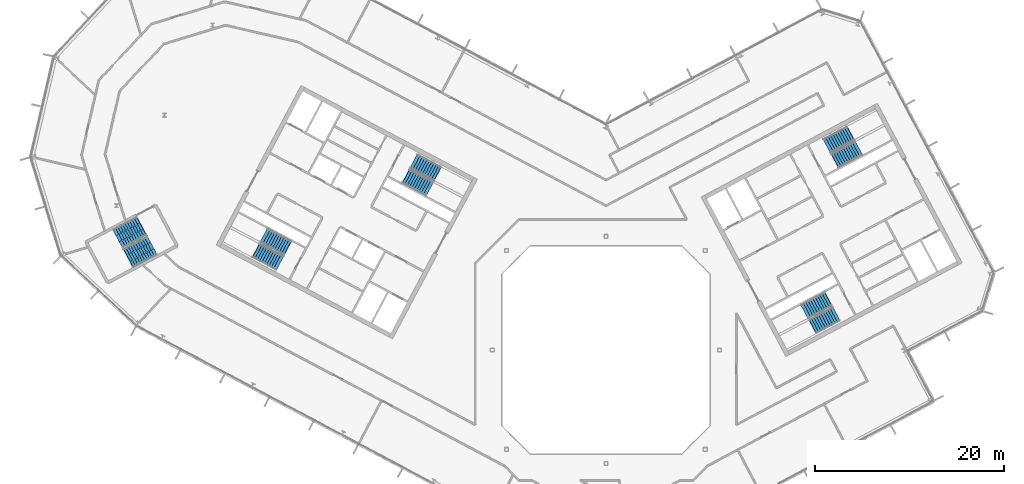
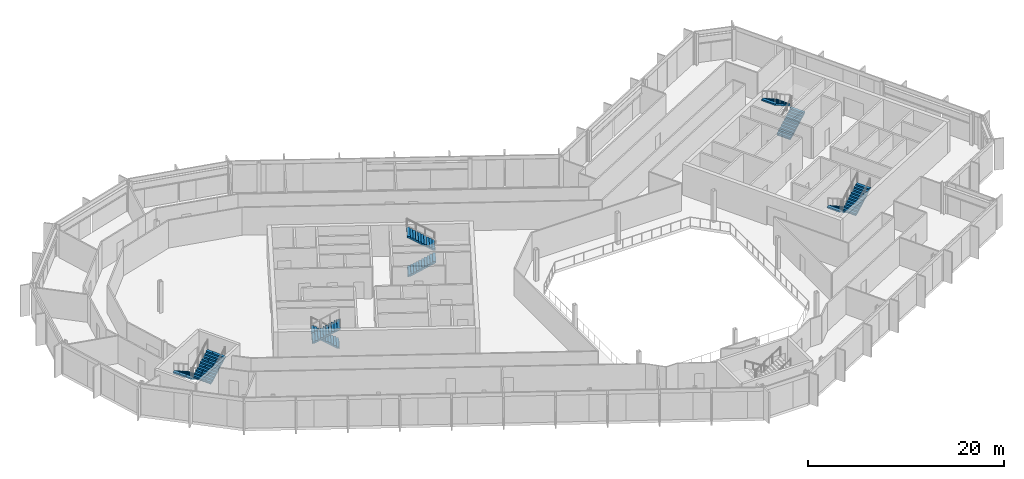
# One storey, part 18 of 26: 10 stair flights, 5 elements without a shape of their own.
"""IFC4 building model written with IfcOpenShell, lengths in metres."""

import ifcopenshell
import ifcopenshell.guid

model = None  # the IFC model being written
_history = None  # IfcOwnerHistory: only IFC2X3 demands one
_inside = {}  # id of a spatial element -> (the spatial element, [elements in it])
_under = {}  # id of a project, library or spatial element -> (it, [spatial elements below it])
_declared = {}  # id of a project -> (the project, [libraries it declares])
_typed = {}  # id of a type object -> (the type object, [elements of that type])
_made_of = {}  # id of a material, layer set ... -> (it, [elements and type objects made of it])


def new_model(schema):
    """Start an empty IFC model of exactly this schema.

    Asked for "IFC4X3", IfcOpenShell would pick the latest addendum, in which some entities
    have other attributes; the version numbers below select the first issue.
    IFC2X3 requires an IfcOwnerHistory on every rooted entity: one is made here for all.
    """
    global model, _history
    if schema == "IFC4X3":
        model = ifcopenshell.file(schema_version=(4, 3, 0, 0))
    else:
        model = ifcopenshell.file(schema=schema)
    _inside.clear()
    _under.clear()
    _declared.clear()
    _typed.clear()
    _made_of.clear()
    _history = None
    if model.schema == "IFC2X3":
        org = make("IfcOrganization", Name="unknown")
        user = make(
            "IfcPersonAndOrganization",
            ThePerson=make("IfcPerson", FamilyName="unknown"),
            TheOrganization=org,
        )
        app = make(
            "IfcApplication",
            ApplicationDeveloper=org,
            Version="unknown",
            ApplicationFullName="unknown",
            ApplicationIdentifier="unknown",
        )
        _history = make(
            "IfcOwnerHistory",
            OwningUser=user,
            OwningApplication=app,
            ChangeAction="ADDED",
            CreationDate=0,
        )
    return model


def make(cls, **values):
    """One entity of the class cls with the attributes given. An attribute that is None is left unset."""
    return model.create_entity(
        cls, **{name: value for name, value in values.items() if value is not None}
    )


def rooted(cls, **values):
    """An entity with a GlobalId (a new one), such as an element, a storey or a relation."""
    return make(cls, GlobalId=ifcopenshell.guid.new(), OwnerHistory=_history, **values)


def si_unit(unit_type, name, prefix=None):
    """IfcSIUnit, for example si_unit("LENGTHUNIT", "METRE", prefix="MILLI")."""
    return make("IfcSIUnit", UnitType=unit_type, Prefix=prefix, Name=name)


def assignment(units):
    """IfcUnitAssignment: the units of a project."""
    return None if units is None else make("IfcUnitAssignment", Units=units)


def point(xyz):
    """IfcCartesianPoint."""
    return None if xyz is None else make("IfcCartesianPoint", Coordinates=xyz)


def direction(xyz):
    """IfcDirection."""
    return None if xyz is None else make("IfcDirection", DirectionRatios=xyz)


def frame(location, z_axis=None, x_axis=None):
    """IfcAxis2Placement3D, a coordinate frame: its origin and axes. An axis left out is left unset."""
    return make(
        "IfcAxis2Placement3D",
        Location=point(location),
        Axis=direction(z_axis),
        RefDirection=direction(x_axis),
    )


def origin():
    """The frame at (0, 0, 0) with its axes left unset."""
    return frame((0.0, 0.0, 0.0))


def place(relative_to, where):
    """IfcLocalPlacement: puts the frame where relative to a parent placement (None: the world)."""
    return make(
        "IfcLocalPlacement", PlacementRelTo=relative_to, RelativePlacement=where
    )


def context(
    kind, dimensions, precision=None, world=None, true_north=None, identifier=None
):
    """IfcGeometricRepresentationContext, for example the 3D "Model" context."""
    return make(
        "IfcGeometricRepresentationContext",
        ContextIdentifier=identifier,
        ContextType=kind,
        CoordinateSpaceDimension=dimensions,
        Precision=precision,
        WorldCoordinateSystem=world,
        TrueNorth=true_north,
    )


def subcontext(parent, identifier, kind, view, scale=None):
    """IfcGeometricRepresentationSubContext, for example "Body" below "Model"."""
    return make(
        "IfcGeometricRepresentationSubContext",
        ContextIdentifier=identifier,
        ContextType=kind,
        ParentContext=parent,
        TargetScale=scale,
        TargetView=view,
    )


def project(units=None, contexts=None):
    """IfcProject with its units and contexts."""
    return rooted(
        "IfcProject",
        Name="project",
        RepresentationContexts=contexts,
        UnitsInContext=assignment(units),
    )


def spatial(cls, under=None, at=None, **own):
    """A site, building, storey or space (cls), placed at a placement, below another one or the project."""
    s = rooted(cls, ObjectPlacement=at, **own)
    if under is not None:
        _under.setdefault(under.id(), (under, []))[1].append(s)
    return s


def polyline(points):
    """IfcPolyline through the points."""
    return make("IfcPolyline", Points=[point(p) for p in points])


def outline(outer, holes=None, kind="AREA"):
    """IfcArbitraryClosedProfileDef: a profile drawn as a closed curve; with holes, ...WithVoids."""
    if holes is None:
        return make("IfcArbitraryClosedProfileDef", ProfileType=kind, OuterCurve=outer)
    return make(
        "IfcArbitraryProfileDefWithVoids",
        ProfileType=kind,
        OuterCurve=outer,
        InnerCurves=holes,
    )


def extrude(swept, where, along, depth):
    """IfcExtrudedAreaSolid: the profile swept, set in the frame where, extruded along a direction by depth."""
    return make(
        "IfcExtrudedAreaSolid",
        SweptArea=swept,
        Position=where,
        ExtrudedDirection=direction(along),
        Depth=depth,
    )


def shape(context_of_items, identifier, shape_type, items):
    """IfcShapeRepresentation: the items that make up one representation, for example the "Body"."""
    return make(
        "IfcShapeRepresentation",
        ContextOfItems=context_of_items,
        RepresentationIdentifier=identifier,
        RepresentationType=shape_type,
        Items=items,
    )


def material(Name=None, Category=None):
    """IfcMaterial."""
    return make("IfcMaterial", Name=Name, Category=Category)


def made_of(thing, what):
    """Note that an element or type object is made of a material, layer set ...; save() writes the relation."""
    if what is not None:
        _made_of.setdefault(what.id(), (what, []))[1].append(thing)
    return thing


def type_object(cls, material=None, **own):
    """A type object (cls), such as IfcWallType, which elements share."""
    return made_of(rooted(cls, **own), material)


def element(
    cls,
    number,
    at=None,
    inside=None,
    cuts=None,
    type_object=None,
    material=None,
    context=None,
    identifier="Body",
    shape_type=None,
    held_by="IfcProductDefinitionShape",
    body=None,
    shapes=None,
    **own,
):
    """One element of the class cls, such as IfcWall. Its Tag is "e" and its number.

    at: its placement. inside: the storey or other place that contains it. cuts: it is an
    opening in that element (IfcRelVoidsElement). A single representation is given by context,
    identifier, shape_type and body (its items); several are given by shapes. held_by: the class
    of the entity that holds the representations. save() writes the other relations.
    """
    e = rooted(cls, Tag="e%d" % number, ObjectPlacement=at, **own)
    if body is not None:
        shapes = [shape(context, identifier, shape_type, body)]
    if shapes is not None:
        e.Representation = make(held_by, Representations=shapes)
    if inside is not None:
        _inside.setdefault(inside.id(), (inside, []))[1].append(e)
    if cuts is not None:
        rooted(
            "IfcRelVoidsElement", RelatingBuildingElement=cuts, RelatedOpeningElement=e
        )
    if type_object is not None:
        _typed.setdefault(type_object.id(), (type_object, []))[1].append(e)
    return made_of(e, material)


def aggregate(whole, parts):
    """IfcRelAggregates: a whole, such as a stair, and the parts it consists of."""
    return rooted("IfcRelAggregates", RelatingObject=whole, RelatedObjects=parts)


def save(model, path):
    """Write the relations noted so far, then the file.

    IfcRelAggregates (storeys below a building ...), IfcRelContainedInSpatialStructure (elements
    in a storey), IfcRelDefinesByType, IfcRelAssociatesMaterial and IfcRelDeclares: one each for
    every whole, place, type object, material and project.
    """
    for whole, parts in _under.values():
        aggregate(whole, parts)
    for where, things in _inside.values():
        rooted(
            "IfcRelContainedInSpatialStructure",
            RelatedElements=things,
            RelatingStructure=where,
        )
    for kind, things in _typed.values():
        rooted("IfcRelDefinesByType", RelatedObjects=things, RelatingType=kind)
    for what, things in _made_of.values():
        rooted("IfcRelAssociatesMaterial", RelatedObjects=things, RelatingMaterial=what)
    for by, libraries in _declared.values():
        rooted("IfcRelDeclares", RelatingContext=by, RelatedDefinitions=libraries)
    model.write(path)


model = new_model("IFC4")

# Units and contexts
model_context = context("Model", 3, precision=1e-05, world=origin(), true_north=direction((0.0, 1.0)))
body_context = subcontext(model_context, "Body", "Model", "MODEL_VIEW")
ifc_project = project(units=[si_unit("LENGTHUNIT", "METRE"), si_unit("AREAUNIT", "SQUARE_METRE"), si_unit("VOLUMEUNIT", "CUBIC_METRE"), si_unit("PLANEANGLEUNIT", "RADIAN"), si_unit("MASSUNIT", "GRAM", prefix="KILO")], contexts=[model_context])

# Site, building, storey
site_placement = place(None, origin())
site = spatial("IfcSite", under=ifc_project, at=site_placement, CompositionType="ELEMENT")
building_placement = place(site_placement, origin())
building = spatial("IfcBuilding", under=site, at=building_placement, Name="Cormorant Relay Tower", CompositionType="ELEMENT")
storey_placement = place(building_placement, frame((0.0, 0.0, 316.5)))
storey = spatial("IfcBuildingStorey", under=building, at=storey_placement, Name="L72", CompositionType="ELEMENT", Elevation=316.5)

# Stair, stair flights
ifc_material_1 = material(Name="Concrete 40 MPa", Category="concrete")
stair_type_1 = type_object("IfcStairType", Name="Exit stair 1500", PredefinedType="HALF_TURN_STAIR", material=ifc_material_1)
stair_1_placement = place(storey_placement, origin())
stair_1 = element("IfcStair", 1, at=stair_1_placement, inside=storey, type_object=stair_type_1, Name="L72 Stair", PredefinedType="HALF_TURN_STAIR")
ifc_material_2 = material(Name="Concrete 40 MPa", Category="concrete")
stair_flight_type_1 = type_object("IfcStairFlightType", Name="Exit stair flight 1650", PredefinedType="STRAIGHT", material=ifc_material_2)
stair_flight_1_placement = place(storey_placement, frame((-21.114501953125, 18.33349609375, 0.0), z_axis=(0.0, 0.0, 1.0), x_axis=(0.882947592859, -0.469471562786, 0.0)))
stair_flight_1 = element("IfcStairFlight", 2, at=stair_flight_1_placement, type_object=stair_flight_type_1, Name="A1 flight 1", NumberOfRisers=11, NumberOfTreads=10, PredefinedType="STRAIGHT", RiserHeight=0.177272727, TreadLength=0.28, context=body_context, shape_type="SweptSolid", body=[
    extrude(outline(polyline([(-0.050048828125, -0.080078125), (-0.050048828125, 0.0), (0.0, 0.0), (0.0, 0.17724609375), (0.280029296875, 0.17724609375), (0.280029296875, 0.3544921875), (0.56005859375, 0.3544921875), (0.56005859375, 0.53173828125), (0.840087890625, 0.53173828125), (0.840087890625, 0.708984375), (1.1201171875, 0.708984375), (1.1201171875, 0.886474609375), (1.39990234375, 0.886474609375), (1.39990234375, 1.063720703125), (1.679931640625, 1.063720703125), (1.679931640625, 1.240966796875), (1.9599609375, 1.240966796875), (1.9599609375, 1.418212890625), (2.239990234375, 1.418212890625), (2.239990234375, 1.595458984375), (2.52001953125, 1.595458984375), (2.52001953125, 1.772705078125), (2.800048828125, 1.772705078125), (2.85009765625, 1.772705078125), (2.85009765625, 1.59521484375), (2.800048828125, 1.59521484375), (0.2802734375, 0.0), (-0.050048828125, -0.080078125)])), frame((0.0, 0.824951171875, 0.0), z_axis=(0.0, -1.0, 0.0), x_axis=(1.0, 0.0, 0.0)), (0.0, 0.0, 1.0), 1.64990234375),
])
stair_flight_2_placement = place(storey_placement, frame((-17.797119140625, 18.6083984375, 1.949951171875), z_axis=(0.0, 0.0, 1.0), x_axis=(-0.882947592859, 0.469471562786, 0.0)))
stair_flight_2 = element("IfcStairFlight", 3, at=stair_flight_2_placement, type_object=stair_flight_type_1, Name="A1 flight 2", NumberOfRisers=11, NumberOfTreads=10, PredefinedType="STRAIGHT", RiserHeight=0.177272727, TreadLength=0.28, context=body_context, shape_type="SweptSolid", body=[
    extrude(outline(polyline([(-0.050048828125, -0.080078125), (-0.050048828125, 0.0), (0.0, 0.0), (0.0, 0.17724609375), (0.280029296875, 0.17724609375), (0.280029296875, 0.3544921875), (0.56005859375, 0.3544921875), (0.56005859375, 0.53173828125), (0.840087890625, 0.53173828125), (0.840087890625, 0.708984375), (1.1201171875, 0.708984375), (1.1201171875, 0.886474609375), (1.39990234375, 0.886474609375), (1.39990234375, 1.063720703125), (1.679931640625, 1.063720703125), (1.679931640625, 1.240966796875), (1.9599609375, 1.240966796875), (1.9599609375, 1.418212890625), (2.239990234375, 1.418212890625), (2.239990234375, 1.595458984375), (2.52001953125, 1.595458984375), (2.52001953125, 1.772705078125), (2.800048828125, 1.772705078125), (2.85009765625, 1.772705078125), (2.85009765625, 1.59521484375), (2.800048828125, 1.59521484375), (0.2802734375, 0.0), (-0.050048828125, -0.080078125)])), frame((0.0, 0.824951171875, 0.0), z_axis=(0.0, -1.0, 0.0), x_axis=(1.0, 0.0, 0.0)), (0.0, 0.0, 1.0), 1.64990234375),
])
aggregate(stair_1, [stair_flight_1, stair_flight_2])

stair_2_placement = place(storey_placement, origin())
stair_2 = element("IfcStair", 4, at=stair_2_placement, inside=storey, type_object=stair_type_1, Name="L72 Stair", PredefinedType="HALF_TURN_STAIR")
stair_flight_3_placement = place(storey_placement, frame((-33.62841796875, 10.773681640625, 0.0), z_axis=(0.0, 0.0, 1.0), x_axis=(-0.882947592859, 0.469471562786, 0.0)))
stair_flight_3 = element("IfcStairFlight", 5, at=stair_flight_3_placement, type_object=stair_flight_type_1, Name="A2 flight 1", NumberOfRisers=11, NumberOfTreads=10, PredefinedType="STRAIGHT", RiserHeight=0.177272727, TreadLength=0.28, context=body_context, shape_type="SweptSolid", body=[
    extrude(outline(polyline([(-0.050048828125, -0.080078125), (-0.050048828125, 0.0), (0.0, 0.0), (0.0, 0.17724609375), (0.280029296875, 0.17724609375), (0.280029296875, 0.3544921875), (0.56005859375, 0.3544921875), (0.56005859375, 0.53173828125), (0.840087890625, 0.53173828125), (0.840087890625, 0.708984375), (1.1201171875, 0.708984375), (1.1201171875, 0.886474609375), (1.39990234375, 0.886474609375), (1.39990234375, 1.063720703125), (1.679931640625, 1.063720703125), (1.679931640625, 1.240966796875), (1.9599609375, 1.240966796875), (1.9599609375, 1.418212890625), (2.239990234375, 1.418212890625), (2.239990234375, 1.595458984375), (2.52001953125, 1.595458984375), (2.52001953125, 1.772705078125), (2.800048828125, 1.772705078125), (2.85009765625, 1.772705078125), (2.85009765625, 1.59521484375), (2.800048828125, 1.59521484375), (0.2802734375, 0.0), (-0.050048828125, -0.080078125)])), frame((0.0, 0.824951171875, 0.0), z_axis=(0.0, -1.0, 0.0), x_axis=(1.0, 0.0, 0.0)), (0.0, 0.0, 1.0), 1.64990234375),
])
stair_flight_4_placement = place(storey_placement, frame((-36.945556640625, 10.498779296875, 1.949951171875), z_axis=(0.0, 0.0, 1.0), x_axis=(0.882947592859, -0.469471562786, 0.0)))
stair_flight_4 = element("IfcStairFlight", 6, at=stair_flight_4_placement, type_object=stair_flight_type_1, Name="A2 flight 2", NumberOfRisers=11, NumberOfTreads=10, PredefinedType="STRAIGHT", RiserHeight=0.177272727, TreadLength=0.28, context=body_context, shape_type="SweptSolid", body=[
    extrude(outline(polyline([(-0.050048828125, -0.080078125), (-0.050048828125, 0.0), (0.0, 0.0), (0.0, 0.17724609375), (0.280029296875, 0.17724609375), (0.280029296875, 0.3544921875), (0.56005859375, 0.3544921875), (0.56005859375, 0.53173828125), (0.840087890625, 0.53173828125), (0.840087890625, 0.708984375), (1.1201171875, 0.708984375), (1.1201171875, 0.886474609375), (1.39990234375, 0.886474609375), (1.39990234375, 1.063720703125), (1.679931640625, 1.063720703125), (1.679931640625, 1.240966796875), (1.9599609375, 1.240966796875), (1.9599609375, 1.418212890625), (2.239990234375, 1.418212890625), (2.239990234375, 1.595458984375), (2.52001953125, 1.595458984375), (2.52001953125, 1.772705078125), (2.800048828125, 1.772705078125), (2.85009765625, 1.772705078125), (2.85009765625, 1.59521484375), (2.800048828125, 1.59521484375), (0.2802734375, 0.0), (-0.050048828125, -0.080078125)])), frame((0.0, 0.824951171875, 0.0), z_axis=(0.0, -1.0, 0.0), x_axis=(1.0, 0.0, 0.0)), (0.0, 0.0, 1.0), 1.64990234375),
])
aggregate(stair_2, [stair_flight_3, stair_flight_4])

stair_3_placement = place(storey_placement, origin())
stair_3 = element("IfcStair", 7, at=stair_3_placement, inside=storey, type_object=stair_type_1, Name="L72 Stair", PredefinedType="HALF_TURN_STAIR")
stair_flight_5_placement = place(storey_placement, frame((23.474365234375, 5.374755859375, 0.0), z_axis=(0.0, 0.0, 1.0), x_axis=(-0.882947592859, -0.469471562786, 0.0)))
stair_flight_5 = element("IfcStairFlight", 8, at=stair_flight_5_placement, type_object=stair_flight_type_1, Name="B1 flight 1", NumberOfRisers=11, NumberOfTreads=10, PredefinedType="STRAIGHT", RiserHeight=0.177272727, TreadLength=0.28, context=body_context, shape_type="SweptSolid", body=[
    extrude(outline(polyline([(-0.050048828125, -0.080078125), (-0.050048828125, 0.0), (0.0, 0.0), (0.0, 0.17724609375), (0.280029296875, 0.17724609375), (0.280029296875, 0.3544921875), (0.56005859375, 0.3544921875), (0.56005859375, 0.53173828125), (0.840087890625, 0.53173828125), (0.840087890625, 0.708984375), (1.1201171875, 0.708984375), (1.1201171875, 0.886474609375), (1.39990234375, 0.886474609375), (1.39990234375, 1.063720703125), (1.679931640625, 1.063720703125), (1.679931640625, 1.240966796875), (1.9599609375, 1.240966796875), (1.9599609375, 1.418212890625), (2.239990234375, 1.418212890625), (2.239990234375, 1.595458984375), (2.52001953125, 1.595458984375), (2.52001953125, 1.772705078125), (2.800048828125, 1.772705078125), (2.85009765625, 1.772705078125), (2.85009765625, 1.59521484375), (2.800048828125, 1.59521484375), (0.2802734375, 0.0), (-0.050048828125, -0.080078125)])), frame((0.0, 0.824951171875, 0.0), z_axis=(0.0, -1.0, 0.0), x_axis=(1.0, 0.0, 0.0)), (0.0, 0.0, 1.0), 1.64990234375),
])
stair_flight_6_placement = place(storey_placement, frame((21.84716796875, 2.470947265625, 1.949951171875), z_axis=(0.0, 0.0, 1.0), x_axis=(0.882947592859, 0.469471562786, 0.0)))
stair_flight_6 = element("IfcStairFlight", 9, at=stair_flight_6_placement, type_object=stair_flight_type_1, Name="B1 flight 2", NumberOfRisers=11, NumberOfTreads=10, PredefinedType="STRAIGHT", RiserHeight=0.177272727, TreadLength=0.28, context=body_context, shape_type="SweptSolid", body=[
    extrude(outline(polyline([(-0.050048828125, -0.080078125), (-0.050048828125, 0.0), (0.0, 0.0), (0.0, 0.17724609375), (0.280029296875, 0.17724609375), (0.280029296875, 0.3544921875), (0.56005859375, 0.3544921875), (0.56005859375, 0.53173828125), (0.840087890625, 0.53173828125), (0.840087890625, 0.708984375), (1.1201171875, 0.708984375), (1.1201171875, 0.886474609375), (1.39990234375, 0.886474609375), (1.39990234375, 1.063720703125), (1.679931640625, 1.063720703125), (1.679931640625, 1.240966796875), (1.9599609375, 1.240966796875), (1.9599609375, 1.418212890625), (2.239990234375, 1.418212890625), (2.239990234375, 1.595458984375), (2.52001953125, 1.595458984375), (2.52001953125, 1.772705078125), (2.800048828125, 1.772705078125), (2.85009765625, 1.772705078125), (2.85009765625, 1.59521484375), (2.800048828125, 1.59521484375), (0.2802734375, 0.0), (-0.050048828125, -0.080078125)])), frame((0.0, 0.824951171875, 0.0), z_axis=(0.0, -1.0, 0.0), x_axis=(1.0, 0.0, 0.0)), (0.0, 0.0, 1.0), 1.64990234375),
])
aggregate(stair_3, [stair_flight_5, stair_flight_6])

stair_4_placement = place(storey_placement, origin())
stair_4 = element("IfcStair", 10, at=stair_4_placement, inside=storey, type_object=stair_type_1, Name="L72 Stair", PredefinedType="HALF_TURN_STAIR")
stair_flight_7_placement = place(storey_placement, frame((24.20458984375, 19.976806640625, 0.0), z_axis=(0.0, 0.0, 1.0), x_axis=(0.882947592859, 0.469471562786, 0.0)))
stair_flight_7 = element("IfcStairFlight", 11, at=stair_flight_7_placement, type_object=stair_flight_type_1, Name="B2 flight 1", NumberOfRisers=11, NumberOfTreads=10, PredefinedType="STRAIGHT", RiserHeight=0.177272727, TreadLength=0.28, context=body_context, shape_type="SweptSolid", body=[
    extrude(outline(polyline([(-0.050048828125, -0.080078125), (-0.050048828125, 0.0), (0.0, 0.0), (0.0, 0.17724609375), (0.280029296875, 0.17724609375), (0.280029296875, 0.3544921875), (0.56005859375, 0.3544921875), (0.56005859375, 0.53173828125), (0.840087890625, 0.53173828125), (0.840087890625, 0.708984375), (1.1201171875, 0.708984375), (1.1201171875, 0.886474609375), (1.39990234375, 0.886474609375), (1.39990234375, 1.063720703125), (1.679931640625, 1.063720703125), (1.679931640625, 1.240966796875), (1.9599609375, 1.240966796875), (1.9599609375, 1.418212890625), (2.239990234375, 1.418212890625), (2.239990234375, 1.595458984375), (2.52001953125, 1.595458984375), (2.52001953125, 1.772705078125), (2.800048828125, 1.772705078125), (2.85009765625, 1.772705078125), (2.85009765625, 1.59521484375), (2.800048828125, 1.59521484375), (0.2802734375, 0.0), (-0.050048828125, -0.080078125)])), frame((0.0, 0.824951171875, 0.0), z_axis=(0.0, -1.0, 0.0), x_axis=(1.0, 0.0, 0.0)), (0.0, 0.0, 1.0), 1.64990234375),
])
stair_flight_8_placement = place(storey_placement, frame((25.831787109375, 22.880615234375, 1.949951171875), z_axis=(0.0, 0.0, 1.0), x_axis=(-0.882947592859, -0.469471562786, 0.0)))
stair_flight_8 = element("IfcStairFlight", 12, at=stair_flight_8_placement, type_object=stair_flight_type_1, Name="B2 flight 2", NumberOfRisers=11, NumberOfTreads=10, PredefinedType="STRAIGHT", RiserHeight=0.177272727, TreadLength=0.28, context=body_context, shape_type="SweptSolid", body=[
    extrude(outline(polyline([(-0.050048828125, -0.080078125), (-0.050048828125, 0.0), (0.0, 0.0), (0.0, 0.17724609375), (0.280029296875, 0.17724609375), (0.280029296875, 0.3544921875), (0.56005859375, 0.3544921875), (0.56005859375, 0.53173828125), (0.840087890625, 0.53173828125), (0.840087890625, 0.708984375), (1.1201171875, 0.708984375), (1.1201171875, 0.886474609375), (1.39990234375, 0.886474609375), (1.39990234375, 1.063720703125), (1.679931640625, 1.063720703125), (1.679931640625, 1.240966796875), (1.9599609375, 1.240966796875), (1.9599609375, 1.418212890625), (2.239990234375, 1.418212890625), (2.239990234375, 1.595458984375), (2.52001953125, 1.595458984375), (2.52001953125, 1.772705078125), (2.800048828125, 1.772705078125), (2.85009765625, 1.772705078125), (2.85009765625, 1.59521484375), (2.800048828125, 1.59521484375), (0.2802734375, 0.0), (-0.050048828125, -0.080078125)])), frame((0.0, 0.824951171875, 0.0), z_axis=(0.0, -1.0, 0.0), x_axis=(1.0, 0.0, 0.0)), (0.0, 0.0, 1.0), 1.64990234375),
])
aggregate(stair_4, [stair_flight_7, stair_flight_8])

ifc_material_3 = material(Name="Concrete 40 MPa", Category="concrete")
stair_type_2 = type_object("IfcStairType", Name="Remote exit stair 2200", PredefinedType="HALF_TURN_STAIR", material=ifc_material_3)
stair_5_placement = place(storey_placement, origin())
stair_5 = element("IfcStair", 13, at=stair_5_placement, inside=storey, type_object=stair_type_2, Name="L72 Stair", PredefinedType="HALF_TURN_STAIR")
ifc_material_4 = material(Name="Concrete 40 MPa", Category="concrete")
stair_flight_type_2 = type_object("IfcStairFlightType", Name="Remote exit stair flight 2200", PredefinedType="STRAIGHT", material=ifc_material_4)
stair_flight_9_placement = place(storey_placement, frame((-49.062255859375, 13.08251953125, 0.0), z_axis=(0.0, 0.0, 1.0), x_axis=(-0.882947502727, -0.4694717323, 0.0)))
stair_flight_9 = element("IfcStairFlight", 14, at=stair_flight_9_placement, type_object=stair_flight_type_2, Name="RP1 flight 1", NumberOfRisers=11, NumberOfTreads=10, PredefinedType="STRAIGHT", RiserHeight=0.177272727, TreadLength=0.28, context=body_context, shape_type="SweptSolid", body=[
    extrude(outline(polyline([(-0.050048828125, -0.080078125), (-0.050048828125, 0.0), (0.0, 0.0), (0.0, 0.17724609375), (0.280029296875, 0.17724609375), (0.280029296875, 0.3544921875), (0.56005859375, 0.3544921875), (0.56005859375, 0.53173828125), (0.840087890625, 0.53173828125), (0.840087890625, 0.708984375), (1.1201171875, 0.708984375), (1.1201171875, 0.886474609375), (1.39990234375, 0.886474609375), (1.39990234375, 1.063720703125), (1.679931640625, 1.063720703125), (1.679931640625, 1.240966796875), (1.9599609375, 1.240966796875), (1.9599609375, 1.418212890625), (2.239990234375, 1.418212890625), (2.239990234375, 1.595458984375), (2.52001953125, 1.595458984375), (2.52001953125, 1.772705078125), (2.800048828125, 1.772705078125), (2.85009765625, 1.772705078125), (2.85009765625, 1.59521484375), (2.800048828125, 1.59521484375), (0.2802734375, 0.0), (-0.050048828125, -0.080078125)])), frame((0.0, 1.10009765625, 0.0), z_axis=(0.0, -1.0, 0.0), x_axis=(1.0, 0.0, 0.0)), (0.0, 0.0, 1.0), 0.719970703125),
    extrude(outline(polyline([(-0.050048828125, -0.080078125), (-0.050048828125, 0.0), (0.0, 0.0), (0.0, 0.17724609375), (0.280029296875, 0.17724609375), (0.280029296875, 0.3544921875), (0.56005859375, 0.3544921875), (0.56005859375, 0.53173828125), (0.840087890625, 0.53173828125), (0.840087890625, 0.708984375), (1.1201171875, 0.708984375), (1.1201171875, 0.886474609375), (1.39990234375, 0.886474609375), (1.39990234375, 1.063720703125), (1.679931640625, 1.063720703125), (1.679931640625, 1.240966796875), (1.9599609375, 1.240966796875), (1.9599609375, 1.418212890625), (2.239990234375, 1.418212890625), (2.239990234375, 1.595458984375), (2.52001953125, 1.595458984375), (2.52001953125, 1.772705078125), (2.800048828125, 1.772705078125), (2.85009765625, 1.772705078125), (2.85009765625, 1.59521484375), (2.800048828125, 1.59521484375), (0.2802734375, 0.0), (-0.050048828125, -0.080078125)])), frame((0.0, 0.360107421875, 0.0), z_axis=(0.0, -1.0, 0.0), x_axis=(1.0, 0.0, 0.0)), (0.0, 0.0, 1.0), 0.719970703125),
    extrude(outline(polyline([(-0.050048828125, -0.080078125), (-0.050048828125, 0.0), (0.0, 0.0), (0.0, 0.17724609375), (0.280029296875, 0.17724609375), (0.280029296875, 0.3544921875), (0.56005859375, 0.3544921875), (0.56005859375, 0.53173828125), (0.840087890625, 0.53173828125), (0.840087890625, 0.708984375), (1.1201171875, 0.708984375), (1.1201171875, 0.886474609375), (1.39990234375, 0.886474609375), (1.39990234375, 1.063720703125), (1.679931640625, 1.063720703125), (1.679931640625, 1.240966796875), (1.9599609375, 1.240966796875), (1.9599609375, 1.418212890625), (2.239990234375, 1.418212890625), (2.239990234375, 1.595458984375), (2.52001953125, 1.595458984375), (2.52001953125, 1.772705078125), (2.800048828125, 1.772705078125), (2.85009765625, 1.772705078125), (2.85009765625, 1.59521484375), (2.800048828125, 1.59521484375), (0.2802734375, 0.0), (-0.050048828125, -0.080078125)])), frame((0.0, -0.3798828125, 0.0), z_axis=(0.0, -1.0, 0.0), x_axis=(1.0, 0.0, 0.0)), (0.0, 0.0, 1.0), 0.719970703125),
])
stair_flight_10_placement = place(storey_placement, frame((-50.431396484375, 9.693115234375, 1.949951171875), z_axis=(0.0, 0.0, 1.0), x_axis=(0.882947502727, 0.4694717323, 0.0)))
stair_flight_10 = element("IfcStairFlight", 15, at=stair_flight_10_placement, type_object=stair_flight_type_2, Name="RP1 flight 2", NumberOfRisers=11, NumberOfTreads=10, PredefinedType="STRAIGHT", RiserHeight=0.177272727, TreadLength=0.28, context=body_context, shape_type="SweptSolid", body=[
    extrude(outline(polyline([(-0.050048828125, -0.080078125), (-0.050048828125, 0.0), (0.0, 0.0), (0.0, 0.17724609375), (0.280029296875, 0.17724609375), (0.280029296875, 0.3544921875), (0.56005859375, 0.3544921875), (0.56005859375, 0.53173828125), (0.840087890625, 0.53173828125), (0.840087890625, 0.708984375), (1.1201171875, 0.708984375), (1.1201171875, 0.886474609375), (1.39990234375, 0.886474609375), (1.39990234375, 1.063720703125), (1.679931640625, 1.063720703125), (1.679931640625, 1.240966796875), (1.9599609375, 1.240966796875), (1.9599609375, 1.418212890625), (2.239990234375, 1.418212890625), (2.239990234375, 1.595458984375), (2.52001953125, 1.595458984375), (2.52001953125, 1.772705078125), (2.800048828125, 1.772705078125), (2.85009765625, 1.772705078125), (2.85009765625, 1.59521484375), (2.800048828125, 1.59521484375), (0.2802734375, 0.0), (-0.050048828125, -0.080078125)])), frame((0.0, 1.10009765625, 0.0), z_axis=(0.0, -1.0, 0.0), x_axis=(1.0, 0.0, 0.0)), (0.0, 0.0, 1.0), 0.719970703125),
    extrude(outline(polyline([(-0.050048828125, -0.080078125), (-0.050048828125, 0.0), (0.0, 0.0), (0.0, 0.17724609375), (0.280029296875, 0.17724609375), (0.280029296875, 0.3544921875), (0.56005859375, 0.3544921875), (0.56005859375, 0.53173828125), (0.840087890625, 0.53173828125), (0.840087890625, 0.708984375), (1.1201171875, 0.708984375), (1.1201171875, 0.886474609375), (1.39990234375, 0.886474609375), (1.39990234375, 1.063720703125), (1.679931640625, 1.063720703125), (1.679931640625, 1.240966796875), (1.9599609375, 1.240966796875), (1.9599609375, 1.418212890625), (2.239990234375, 1.418212890625), (2.239990234375, 1.595458984375), (2.52001953125, 1.595458984375), (2.52001953125, 1.772705078125), (2.800048828125, 1.772705078125), (2.85009765625, 1.772705078125), (2.85009765625, 1.59521484375), (2.800048828125, 1.59521484375), (0.2802734375, 0.0), (-0.050048828125, -0.080078125)])), frame((0.0, 0.360107421875, 0.0), z_axis=(0.0, -1.0, 0.0), x_axis=(1.0, 0.0, 0.0)), (0.0, 0.0, 1.0), 0.719970703125),
    extrude(outline(polyline([(-0.050048828125, -0.080078125), (-0.050048828125, 0.0), (0.0, 0.0), (0.0, 0.17724609375), (0.280029296875, 0.17724609375), (0.280029296875, 0.3544921875), (0.56005859375, 0.3544921875), (0.56005859375, 0.53173828125), (0.840087890625, 0.53173828125), (0.840087890625, 0.708984375), (1.1201171875, 0.708984375), (1.1201171875, 0.886474609375), (1.39990234375, 0.886474609375), (1.39990234375, 1.063720703125), (1.679931640625, 1.063720703125), (1.679931640625, 1.240966796875), (1.9599609375, 1.240966796875), (1.9599609375, 1.418212890625), (2.239990234375, 1.418212890625), (2.239990234375, 1.595458984375), (2.52001953125, 1.595458984375), (2.52001953125, 1.772705078125), (2.800048828125, 1.772705078125), (2.85009765625, 1.772705078125), (2.85009765625, 1.59521484375), (2.800048828125, 1.59521484375), (0.2802734375, 0.0), (-0.050048828125, -0.080078125)])), frame((0.0, -0.3798828125, 0.0), z_axis=(0.0, -1.0, 0.0), x_axis=(1.0, 0.0, 0.0)), (0.0, 0.0, 1.0), 0.719970703125),
])
aggregate(stair_5, [stair_flight_9, stair_flight_10])

save(model, "model.ifc")
